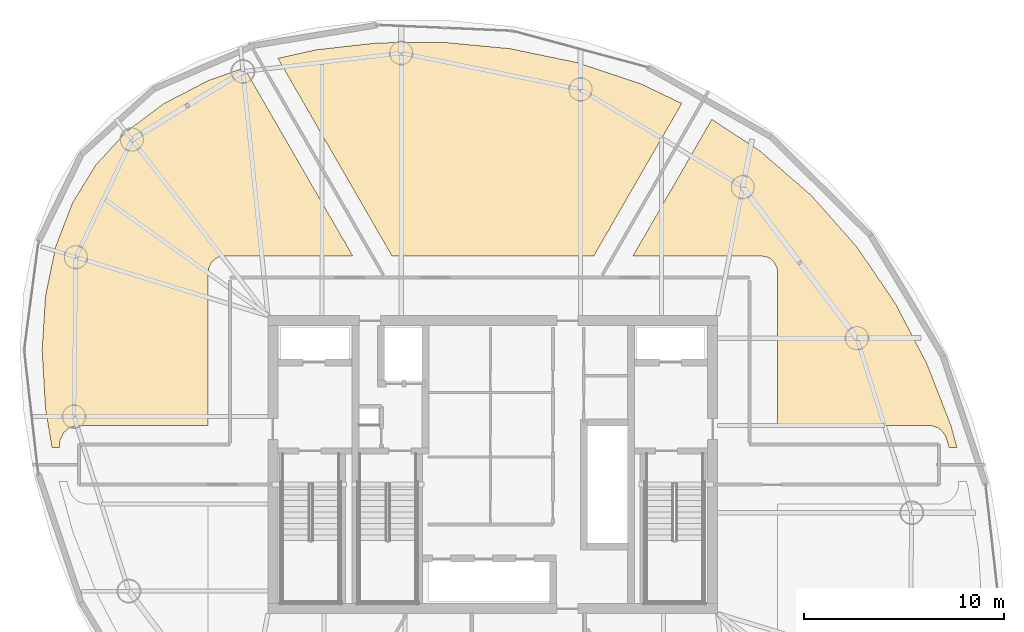
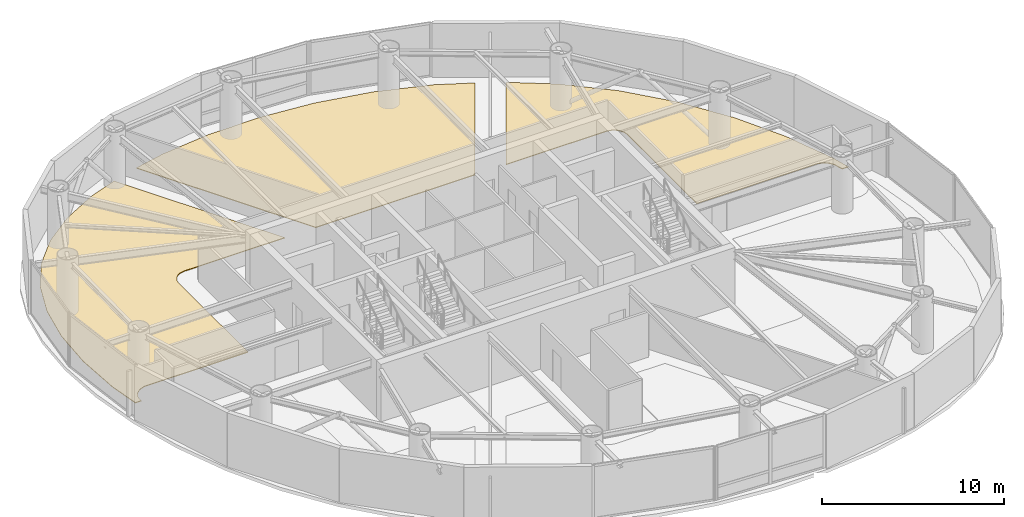
# One storey, part 20 of 20: 3 coverings.
"""IFC4 building model written with IfcOpenShell, lengths in metres."""

import ifcopenshell
import ifcopenshell.guid

model = None  # the IFC model being written
_history = None  # IfcOwnerHistory: only IFC2X3 demands one
_inside = {}  # id of a spatial element -> (the spatial element, [elements in it])
_under = {}  # id of a project, library or spatial element -> (it, [spatial elements below it])
_declared = {}  # id of a project -> (the project, [libraries it declares])
_typed = {}  # id of a type object -> (the type object, [elements of that type])
_made_of = {}  # id of a material, layer set ... -> (it, [elements and type objects made of it])


def new_model(schema):
    """Start an empty IFC model of exactly this schema.

    Asked for "IFC4X3", IfcOpenShell would pick the latest addendum, in which some entities
    have other attributes; the version numbers below select the first issue.
    IFC2X3 requires an IfcOwnerHistory on every rooted entity: one is made here for all.
    """
    global model, _history
    if schema == "IFC4X3":
        model = ifcopenshell.file(schema_version=(4, 3, 0, 0))
    else:
        model = ifcopenshell.file(schema=schema)
    _inside.clear()
    _under.clear()
    _declared.clear()
    _typed.clear()
    _made_of.clear()
    _history = None
    if model.schema == "IFC2X3":
        org = make("IfcOrganization", Name="unknown")
        user = make(
            "IfcPersonAndOrganization",
            ThePerson=make("IfcPerson", FamilyName="unknown"),
            TheOrganization=org,
        )
        app = make(
            "IfcApplication",
            ApplicationDeveloper=org,
            Version="unknown",
            ApplicationFullName="unknown",
            ApplicationIdentifier="unknown",
        )
        _history = make(
            "IfcOwnerHistory",
            OwningUser=user,
            OwningApplication=app,
            ChangeAction="ADDED",
            CreationDate=0,
        )
    return model


def make(cls, **values):
    """One entity of the class cls with the attributes given. An attribute that is None is left unset."""
    return model.create_entity(
        cls, **{name: value for name, value in values.items() if value is not None}
    )


def rooted(cls, **values):
    """An entity with a GlobalId (a new one), such as an element, a storey or a relation."""
    return make(cls, GlobalId=ifcopenshell.guid.new(), OwnerHistory=_history, **values)


def si_unit(unit_type, name, prefix=None):
    """IfcSIUnit, for example si_unit("LENGTHUNIT", "METRE", prefix="MILLI")."""
    return make("IfcSIUnit", UnitType=unit_type, Prefix=prefix, Name=name)


def assignment(units):
    """IfcUnitAssignment: the units of a project."""
    return None if units is None else make("IfcUnitAssignment", Units=units)


def point(xyz):
    """IfcCartesianPoint."""
    return None if xyz is None else make("IfcCartesianPoint", Coordinates=xyz)


def direction(xyz):
    """IfcDirection."""
    return None if xyz is None else make("IfcDirection", DirectionRatios=xyz)


def frame(location, z_axis=None, x_axis=None):
    """IfcAxis2Placement3D, a coordinate frame: its origin and axes. An axis left out is left unset."""
    return make(
        "IfcAxis2Placement3D",
        Location=point(location),
        Axis=direction(z_axis),
        RefDirection=direction(x_axis),
    )


def origin():
    """The frame at (0, 0, 0) with its axes left unset."""
    return frame((0.0, 0.0, 0.0))


def place(relative_to, where):
    """IfcLocalPlacement: puts the frame where relative to a parent placement (None: the world)."""
    return make(
        "IfcLocalPlacement", PlacementRelTo=relative_to, RelativePlacement=where
    )


def context(
    kind, dimensions, precision=None, world=None, true_north=None, identifier=None
):
    """IfcGeometricRepresentationContext, for example the 3D "Model" context."""
    return make(
        "IfcGeometricRepresentationContext",
        ContextIdentifier=identifier,
        ContextType=kind,
        CoordinateSpaceDimension=dimensions,
        Precision=precision,
        WorldCoordinateSystem=world,
        TrueNorth=true_north,
    )


def subcontext(parent, identifier, kind, view, scale=None):
    """IfcGeometricRepresentationSubContext, for example "Body" below "Model"."""
    return make(
        "IfcGeometricRepresentationSubContext",
        ContextIdentifier=identifier,
        ContextType=kind,
        ParentContext=parent,
        TargetScale=scale,
        TargetView=view,
    )


def project(units=None, contexts=None):
    """IfcProject with its units and contexts."""
    return rooted(
        "IfcProject",
        Name="project",
        RepresentationContexts=contexts,
        UnitsInContext=assignment(units),
    )


def spatial(cls, under=None, at=None, **own):
    """A site, building, storey or space (cls), placed at a placement, below another one or the project."""
    s = rooted(cls, ObjectPlacement=at, **own)
    if under is not None:
        _under.setdefault(under.id(), (under, []))[1].append(s)
    return s


def polyline(points):
    """IfcPolyline through the points."""
    return make("IfcPolyline", Points=[point(p) for p in points])


def outline(outer, holes=None, kind="AREA"):
    """IfcArbitraryClosedProfileDef: a profile drawn as a closed curve; with holes, ...WithVoids."""
    if holes is None:
        return make("IfcArbitraryClosedProfileDef", ProfileType=kind, OuterCurve=outer)
    return make(
        "IfcArbitraryProfileDefWithVoids",
        ProfileType=kind,
        OuterCurve=outer,
        InnerCurves=holes,
    )


def extrude(swept, where, along, depth):
    """IfcExtrudedAreaSolid: the profile swept, set in the frame where, extruded along a direction by depth."""
    return make(
        "IfcExtrudedAreaSolid",
        SweptArea=swept,
        Position=where,
        ExtrudedDirection=direction(along),
        Depth=depth,
    )


def shape(context_of_items, identifier, shape_type, items):
    """IfcShapeRepresentation: the items that make up one representation, for example the "Body"."""
    return make(
        "IfcShapeRepresentation",
        ContextOfItems=context_of_items,
        RepresentationIdentifier=identifier,
        RepresentationType=shape_type,
        Items=items,
    )


def material(Name=None, Category=None):
    """IfcMaterial."""
    return make("IfcMaterial", Name=Name, Category=Category)


def layer(
    of_material, thickness, ventilated=None, Name=None, Category=None, Priority=None
):
    """IfcMaterialLayer: one layer of a wall or slab, of a material (None: an air gap)."""
    return make(
        "IfcMaterialLayer",
        Material=of_material,
        LayerThickness=thickness,
        IsVentilated=ventilated,
        Name=Name,
        Category=Category,
        Priority=Priority,
    )


def layer_set(layers, Name=None):
    """IfcMaterialLayerSet."""
    return make("IfcMaterialLayerSet", MaterialLayers=layers, LayerSetName=Name)


def made_of(thing, what):
    """Note that an element or type object is made of a material, layer set ...; save() writes the relation."""
    if what is not None:
        _made_of.setdefault(what.id(), (what, []))[1].append(thing)
    return thing


def type_object(cls, material=None, **own):
    """A type object (cls), such as IfcWallType, which elements share."""
    return made_of(rooted(cls, **own), material)


def element(
    cls,
    number,
    at=None,
    inside=None,
    cuts=None,
    type_object=None,
    material=None,
    context=None,
    identifier="Body",
    shape_type=None,
    held_by="IfcProductDefinitionShape",
    body=None,
    shapes=None,
    **own,
):
    """One element of the class cls, such as IfcWall. Its Tag is "e" and its number.

    at: its placement. inside: the storey or other place that contains it. cuts: it is an
    opening in that element (IfcRelVoidsElement). A single representation is given by context,
    identifier, shape_type and body (its items); several are given by shapes. held_by: the class
    of the entity that holds the representations. save() writes the other relations.
    """
    e = rooted(cls, Tag="e%d" % number, ObjectPlacement=at, **own)
    if body is not None:
        shapes = [shape(context, identifier, shape_type, body)]
    if shapes is not None:
        e.Representation = make(held_by, Representations=shapes)
    if inside is not None:
        _inside.setdefault(inside.id(), (inside, []))[1].append(e)
    if cuts is not None:
        rooted(
            "IfcRelVoidsElement", RelatingBuildingElement=cuts, RelatedOpeningElement=e
        )
    if type_object is not None:
        _typed.setdefault(type_object.id(), (type_object, []))[1].append(e)
    return made_of(e, material)


def aggregate(whole, parts):
    """IfcRelAggregates: a whole, such as a stair, and the parts it consists of."""
    return rooted("IfcRelAggregates", RelatingObject=whole, RelatedObjects=parts)


def save(model, path):
    """Write the relations noted so far, then the file.

    IfcRelAggregates (storeys below a building ...), IfcRelContainedInSpatialStructure (elements
    in a storey), IfcRelDefinesByType, IfcRelAssociatesMaterial and IfcRelDeclares: one each for
    every whole, place, type object, material and project.
    """
    for whole, parts in _under.values():
        aggregate(whole, parts)
    for where, things in _inside.values():
        rooted(
            "IfcRelContainedInSpatialStructure",
            RelatedElements=things,
            RelatingStructure=where,
        )
    for kind, things in _typed.values():
        rooted("IfcRelDefinesByType", RelatedObjects=things, RelatingType=kind)
    for what, things in _made_of.values():
        rooted("IfcRelAssociatesMaterial", RelatedObjects=things, RelatingMaterial=what)
    for by, libraries in _declared.values():
        rooted("IfcRelDeclares", RelatingContext=by, RelatedDefinitions=libraries)
    model.write(path)


model = new_model("IFC4")

# Units and contexts
model_context = context("Model", 3, precision=1e-05, world=origin(), true_north=direction((0.0, 1.0)))
body_context = subcontext(model_context, "Body", "Model", "MODEL_VIEW")
ifc_project = project(units=[si_unit("LENGTHUNIT", "METRE"), si_unit("AREAUNIT", "SQUARE_METRE"), si_unit("VOLUMEUNIT", "CUBIC_METRE"), si_unit("PLANEANGLEUNIT", "RADIAN"), si_unit("MASSUNIT", "GRAM", prefix="KILO")], contexts=[model_context])

# Site, building, storey
site_placement = place(None, origin())
site = spatial("IfcSite", under=ifc_project, at=site_placement, CompositionType="ELEMENT")
building_placement = place(site_placement, origin())
building = spatial("IfcBuilding", under=site, at=building_placement, Name="Bramvorn Convention Spire", CompositionType="ELEMENT")
storey_placement = place(building_placement, frame((0.0, 0.0, 178.89990234375)))
storey = spatial("IfcBuildingStorey", under=building, at=storey_placement, Name="L45", CompositionType="ELEMENT", Elevation=178.89990234375)

# Coverings
ifc_material = material(Name="Calcium-Sulphate Raised Access Office Floor", Category="steel")
ifc_layer = layer(ifc_material, 0.044921875)
ifc_layer_set = layer_set([ifc_layer], Name="Calcium-Sulphate Raised Access Office Floor - FLR-RAISED-45")
covering_type = type_object("IfcCoveringType", Name="FLR-RAISED-45", PredefinedType="FLOORING", material=ifc_layer_set)
covering_1_placement = place(storey_placement, origin())
element("IfcCovering", 1, at=covering_1_placement, inside=storey, type_object=covering_type, Name="L45 Open-Plan Engineering Office A 1 raised floor finish", PredefinedType="FLOORING", context=body_context, shape_type="SweptSolid", body=[
    extrude(outline(polyline([(45.014892578125, 36.449951171875), (51.39990234375, 36.449951171875), (51.725341796875, 36.38525390625), (51.872314453125, 36.306640625), (52.05712890625, 36.13916015625), (52.21337890625, 35.8466796875), (52.25, 35.60009765625), (52.25, 27.969970703125), (59.91943359375, 27.959716796875), (60.28271484375, 27.82958984375), (60.513671875, 27.634521484375), (60.668701171875, 27.388916015625), (60.82763671875, 26.85009765625), (61.2216796875, 26.85009765625), (60.9189453125, 27.949951171875), (59.699951171875, 31.0703125), (58.124267578125, 34.083984375), (56.197265625, 36.906982421875), (53.9326171875, 39.46484375), (51.3544921875, 41.6982421875), (48.952392578125, 43.27001953125), (45.014892578125, 36.449951171875)])), origin(), (0.0, 0.0, 1.0), 0.045166015625),
])
covering_2_placement = place(storey_placement, origin())
element("IfcCovering", 2, at=covering_2_placement, inside=storey, type_object=covering_type, Name="L45 Open-Plan Engineering Office B 2 raised floor finish", PredefinedType="FLOORING", context=body_context, shape_type="SweptSolid", body=[
    extrude(outline(polyline([(32.9482421875, 36.449951171875), (43.0517578125, 36.449951171875), (47.45068359375, 44.069091796875), (45.419921875, 45.043212890625), (42.177001953125, 46.123046875), (38.8466796875, 46.8125), (35.511962890625, 47.13037109375), (32.258056640625, 47.1015625), (29.16650390625, 46.754638671875), (27.24658203125, 46.325439453125), (32.9482421875, 36.449951171875)])), origin(), (0.0, 0.0, 1.0), 0.045166015625),
])
covering_3_placement = place(storey_placement, origin())
element("IfcCovering", 3, at=covering_3_placement, inside=storey, type_object=covering_type, Name="L45 Open-Plan Digital Office C 3 raised floor finish", PredefinedType="FLOORING", context=body_context, shape_type="SweptSolid", body=[
    extrude(outline(polyline([(15.619384765625, 28.8095703125), (15.947021484375, 26.85009765625), (16.33251953125, 26.850341796875), (16.3232421875, 27.0673828125), (16.35400390625, 27.251708984375), (16.517578125, 27.585693359375), (16.794921875, 27.83349609375), (17.15673828125, 27.960693359375), (23.75, 27.969970703125), (23.75, 35.60009765625), (23.78662109375, 35.8466796875), (23.94287109375, 36.13916015625), (24.127685546875, 36.306640625), (24.274658203125, 36.38525390625), (24.60009765625, 36.449951171875), (30.985107421875, 36.449951171875), (25.558349609375, 45.849609375), (23.749267578125, 45.20849609375), (21.5234375, 44.04833984375), (19.6533203125, 42.644287109375), (18.13818359375, 40.994140625), (16.96630859375, 39.0849609375), (16.12841796875, 36.901611328125), (15.622314453125, 34.443359375), (15.450927734375, 31.731201171875), (15.619384765625, 28.8095703125)])), origin(), (0.0, 0.0, 1.0), 0.045166015625),
])

save(model, "model.ifc")
